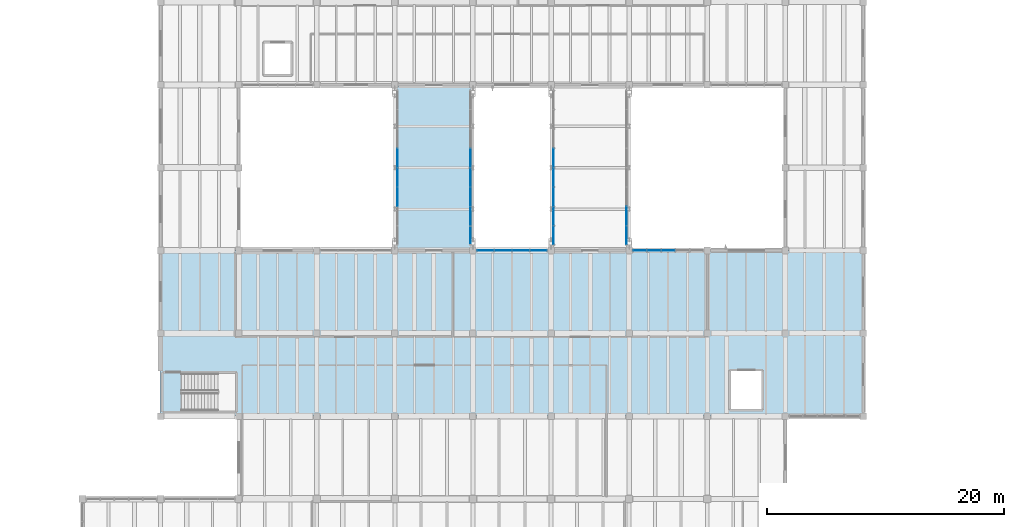
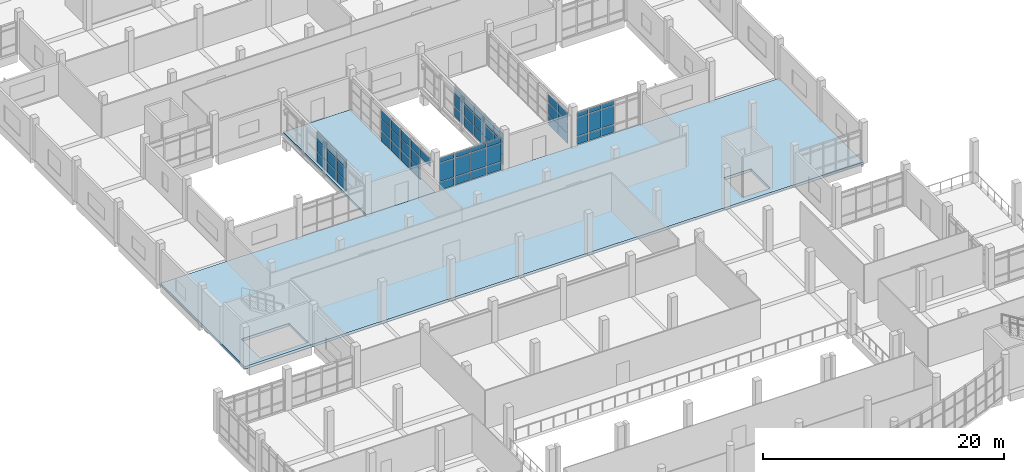
# One storey, part 41 of 67: 64 plates, 2 slabs, 6 elements without a shape of their own.
"""IFC4 building model written with IfcOpenShell, lengths in metres."""

from ifc_helpers import new_model, si_unit, direction, frame, origin, origin_2d, place, context, subcontext, project, spatial, polyline, rectangle, outline, extrude, material, layer, layer_set, type_object, element, aggregate, save


model = new_model("IFC4")

# Units and contexts
model_context = context("Model", 3, precision=1e-05, world=origin(), true_north=direction((0.0, 1.0)))
body_context = subcontext(model_context, "Body", "Model", "MODEL_VIEW")
ifc_project = project(units=[si_unit("LENGTHUNIT", "METRE"), si_unit("AREAUNIT", "SQUARE_METRE"), si_unit("VOLUMEUNIT", "CUBIC_METRE"), si_unit("PLANEANGLEUNIT", "RADIAN"), si_unit("MASSUNIT", "GRAM", prefix="KILO")], contexts=[model_context])

# Site, building, storey
site_placement = place(None, origin())
site = spatial("IfcSite", under=ifc_project, at=site_placement, CompositionType="ELEMENT")
building_placement = place(site_placement, origin())
building = spatial("IfcBuilding", under=site, at=building_placement, Name="Ciguamira Faculty of Natural Sciences", CompositionType="ELEMENT")
storey_placement = place(building_placement, frame((0.0, 0.0, 8.39990234375)))
storey = spatial("IfcBuildingStorey", under=building, at=storey_placement, Name="L02", CompositionType="ELEMENT", Elevation=8.39990234375)

# Curtain wall, plates
ifc_material_1 = material(Name="Anodized aluminium curtain wall", Category="aluminium")
curtain_wall_type_1 = type_object("IfcCurtainWallType", Name="CurtainWall_CW-05", PredefinedType="USERDEFINED", material=ifc_material_1)
curtain_wall_1_placement = place(storey_placement, origin())
curtain_wall_1 = element("IfcCurtainWall", 1, at=curtain_wall_1_placement, inside=storey, type_object=curtain_wall_type_1, Name="L02 unitised curtain wall 0065", ObjectType="UNITISED CURTAIN WALL", PredefinedType="USERDEFINED")
ifc_material_2 = material(Name="Low-E laminated solar glass", Category="glass")
ifc_layer_1 = layer(ifc_material_2, 0.028076171875, Name="Low-E laminated solar glass")
ifc_layer_set_1 = layer_set([ifc_layer_1], Name="Low-E laminated solar glass")
plate_type_1 = type_object("IfcPlateType", Name="CWPanel_CWP-01", PredefinedType="CURTAIN_PANEL", material=ifc_layer_set_1)
plate_1_placement = place(storey_placement, frame((84.748779296875, 59.0, 0.070068359375), z_axis=(0.0, 0.0, 1.0), x_axis=(1.0, 0.0, 0.0)))
plate_1 = element("IfcPlate", 2, at=plate_1_placement, type_object=plate_type_1, Name="CW-05 panel 1.1", PredefinedType="CURTAIN_PANEL", context=body_context, shape_type="SweptSolid", body=[
    extrude(rectangle(XDim=1.407470703125, YDim=0.028076171875, at=origin_2d()), origin(), (0.0, 0.0, 1.0), 0.794921875),
])
plate_2_placement = place(storey_placement, frame((84.748779296875, 59.0, 0.93505859375), z_axis=(0.0, 0.0, 1.0), x_axis=(1.0, 0.0, 0.0)))
plate_2 = element("IfcPlate", 3, at=plate_2_placement, type_object=plate_type_1, Name="CW-05 panel 1.2", PredefinedType="CURTAIN_PANEL", context=body_context, shape_type="SweptSolid", body=[
    extrude(rectangle(XDim=1.407470703125, YDim=0.028076171875, at=origin_2d()), origin(), (0.0, 0.0, 1.0), 1.844970703125),
])
plate_3_placement = place(storey_placement, frame((84.748779296875, 59.0, 2.85009765625), z_axis=(0.0, 0.0, 1.0), x_axis=(1.0, 0.0, 0.0)))
plate_3 = element("IfcPlate", 4, at=plate_3_placement, type_object=plate_type_1, Name="CW-05 panel 1.3", PredefinedType="CURTAIN_PANEL", context=body_context, shape_type="SweptSolid", body=[
    extrude(rectangle(XDim=1.407470703125, YDim=0.028076171875, at=origin_2d()), origin(), (0.0, 0.0, 1.0), 0.445068359375),
])
plate_4_placement = place(storey_placement, frame((86.24365234375, 59.0, 0.070068359375), z_axis=(0.0, 0.0, 1.0), x_axis=(1.0, 0.0, 0.0)))
plate_4 = element("IfcPlate", 5, at=plate_4_placement, type_object=plate_type_1, Name="CW-05 panel 2.1", PredefinedType="CURTAIN_PANEL", context=body_context, shape_type="SweptSolid", body=[
    extrude(rectangle(XDim=1.4423828125, YDim=0.028076171875, at=origin_2d()), origin(), (0.0, 0.0, 1.0), 0.794921875),
])
plate_5_placement = place(storey_placement, frame((86.24365234375, 59.0, 0.93505859375), z_axis=(0.0, 0.0, 1.0), x_axis=(1.0, 0.0, 0.0)))
plate_5 = element("IfcPlate", 6, at=plate_5_placement, type_object=plate_type_1, Name="CW-05 panel 2.2", PredefinedType="CURTAIN_PANEL", context=body_context, shape_type="SweptSolid", body=[
    extrude(rectangle(XDim=1.4423828125, YDim=0.028076171875, at=origin_2d()), origin(), (0.0, 0.0, 1.0), 1.844970703125),
])
plate_6_placement = place(storey_placement, frame((86.24365234375, 59.0, 2.85009765625), z_axis=(0.0, 0.0, 1.0), x_axis=(1.0, 0.0, 0.0)))
plate_6 = element("IfcPlate", 7, at=plate_6_placement, type_object=plate_type_1, Name="CW-05 panel 2.3", PredefinedType="CURTAIN_PANEL", context=body_context, shape_type="SweptSolid", body=[
    extrude(rectangle(XDim=1.4423828125, YDim=0.028076171875, at=origin_2d()), origin(), (0.0, 0.0, 1.0), 0.445068359375),
])
plate_7_placement = place(storey_placement, frame((87.75634765625, 59.0, 0.070068359375), z_axis=(0.0, 0.0, 1.0), x_axis=(1.0, 0.0, 0.0)))
plate_7 = element("IfcPlate", 8, at=plate_7_placement, type_object=plate_type_1, Name="CW-05 panel 3.1", PredefinedType="CURTAIN_PANEL", context=body_context, shape_type="SweptSolid", body=[
    extrude(rectangle(XDim=1.4423828125, YDim=0.028076171875, at=origin_2d()), origin(), (0.0, 0.0, 1.0), 0.794921875),
])
plate_8_placement = place(storey_placement, frame((87.75634765625, 59.0, 0.93505859375), z_axis=(0.0, 0.0, 1.0), x_axis=(1.0, 0.0, 0.0)))
plate_8 = element("IfcPlate", 9, at=plate_8_placement, type_object=plate_type_1, Name="CW-05 panel 3.2", PredefinedType="CURTAIN_PANEL", context=body_context, shape_type="SweptSolid", body=[
    extrude(rectangle(XDim=1.4423828125, YDim=0.028076171875, at=origin_2d()), origin(), (0.0, 0.0, 1.0), 1.844970703125),
])
plate_9_placement = place(storey_placement, frame((87.75634765625, 59.0, 2.85009765625), z_axis=(0.0, 0.0, 1.0), x_axis=(1.0, 0.0, 0.0)))
plate_9 = element("IfcPlate", 10, at=plate_9_placement, type_object=plate_type_1, Name="CW-05 panel 3.3", PredefinedType="CURTAIN_PANEL", context=body_context, shape_type="SweptSolid", body=[
    extrude(rectangle(XDim=1.4423828125, YDim=0.028076171875, at=origin_2d()), origin(), (0.0, 0.0, 1.0), 0.445068359375),
])
plate_10_placement = place(storey_placement, frame((89.251220703125, 59.0, 0.070068359375), z_axis=(0.0, 0.0, 1.0), x_axis=(1.0, 0.0, 0.0)))
plate_10 = element("IfcPlate", 11, at=plate_10_placement, type_object=plate_type_1, Name="CW-05 panel 4.1", PredefinedType="CURTAIN_PANEL", context=body_context, shape_type="SweptSolid", body=[
    extrude(rectangle(XDim=1.407470703125, YDim=0.028076171875, at=origin_2d()), origin(), (0.0, 0.0, 1.0), 0.794921875),
])
plate_11_placement = place(storey_placement, frame((89.251220703125, 59.0, 0.93505859375), z_axis=(0.0, 0.0, 1.0), x_axis=(1.0, 0.0, 0.0)))
plate_11 = element("IfcPlate", 12, at=plate_11_placement, type_object=plate_type_1, Name="CW-05 panel 4.2", PredefinedType="CURTAIN_PANEL", context=body_context, shape_type="SweptSolid", body=[
    extrude(rectangle(XDim=1.407470703125, YDim=0.028076171875, at=origin_2d()), origin(), (0.0, 0.0, 1.0), 1.844970703125),
])
plate_12_placement = place(storey_placement, frame((89.251220703125, 59.0, 2.85009765625), z_axis=(0.0, 0.0, 1.0), x_axis=(1.0, 0.0, 0.0)))
plate_12 = element("IfcPlate", 13, at=plate_12_placement, type_object=plate_type_1, Name="CW-05 panel 4.3", PredefinedType="CURTAIN_PANEL", context=body_context, shape_type="SweptSolid", body=[
    extrude(rectangle(XDim=1.407470703125, YDim=0.028076171875, at=origin_2d()), origin(), (0.0, 0.0, 1.0), 0.445068359375),
])
aggregate(curtain_wall_1, [plate_1, plate_2, plate_3, plate_4, plate_5, plate_6, plate_7, plate_8, plate_9, plate_10, plate_11, plate_12])

curtain_wall_type_2 = type_object("IfcCurtainWallType", Name="CurtainWall_CW-06", PredefinedType="USERDEFINED", material=ifc_material_1)
curtain_wall_2_placement = place(storey_placement, origin())
curtain_wall_2 = element("IfcCurtainWall", 14, at=curtain_wall_2_placement, inside=storey, type_object=curtain_wall_type_2, Name="Link bridge BR-1 glazed curtain wall W", ObjectType="UNITISED CURTAIN WALL", PredefinedType="USERDEFINED")
plate_13_placement = place(storey_placement, frame((77.320068359375, 63.543701171875, 0.06005859375), z_axis=(0.0, 0.0, 1.0), x_axis=(0.0, 1.0, 0.0)))
plate_13 = element("IfcPlate", 15, at=plate_13_placement, type_object=plate_type_1, Name="CW-06 panel 3.1", PredefinedType="CURTAIN_PANEL", context=body_context, shape_type="SweptSolid", body=[
    extrude(rectangle(XDim=1.577392578125, YDim=0.028076171875, at=origin_2d()), origin(), (0.0, 0.0, 1.0), 1.010009765625),
])
plate_14_placement = place(storey_placement, frame((77.320068359375, 63.543701171875, 1.13037109375), z_axis=(0.0, 0.0, 1.0), x_axis=(0.0, 1.0, 0.0)))
plate_14 = element("IfcPlate", 16, at=plate_14_placement, type_object=plate_type_1, Name="CW-06 panel 3.2", PredefinedType="CURTAIN_PANEL", context=body_context, shape_type="SweptSolid", body=[
    extrude(rectangle(XDim=1.577392578125, YDim=0.028076171875, at=origin_2d()), origin(), (0.0, 0.0, 1.0), 1.139892578125),
])
plate_15_placement = place(storey_placement, frame((77.320068359375, 63.543701171875, 2.330078125), z_axis=(0.0, 0.0, 1.0), x_axis=(0.0, 1.0, 0.0)))
plate_15 = element("IfcPlate", 17, at=plate_15_placement, type_object=plate_type_1, Name="CW-06 panel 3.3", PredefinedType="CURTAIN_PANEL", context=body_context, shape_type="SweptSolid", body=[
    extrude(rectangle(XDim=1.577392578125, YDim=0.028076171875, at=origin_2d()), origin(), (0.0, 0.0, 1.0), 0.860107421875),
])
plate_16_placement = place(storey_placement, frame((77.320068359375, 65.18115234375, 0.06005859375), z_axis=(0.0, 0.0, 1.0), x_axis=(0.0, 1.0, 0.0)))
plate_16 = element("IfcPlate", 18, at=plate_16_placement, type_object=plate_type_1, Name="CW-06 panel 4.1", PredefinedType="CURTAIN_PANEL", context=body_context, shape_type="SweptSolid", body=[
    extrude(rectangle(XDim=1.577392578125, YDim=0.028076171875, at=origin_2d()), origin(), (0.0, 0.0, 1.0), 1.010009765625),
])
plate_17_placement = place(storey_placement, frame((77.320068359375, 65.18115234375, 1.13037109375), z_axis=(0.0, 0.0, 1.0), x_axis=(0.0, 1.0, 0.0)))
plate_17 = element("IfcPlate", 19, at=plate_17_placement, type_object=plate_type_1, Name="CW-06 panel 4.2", PredefinedType="CURTAIN_PANEL", context=body_context, shape_type="SweptSolid", body=[
    extrude(rectangle(XDim=1.577392578125, YDim=0.028076171875, at=origin_2d()), origin(), (0.0, 0.0, 1.0), 1.139892578125),
])
plate_18_placement = place(storey_placement, frame((77.320068359375, 65.18115234375, 2.330078125), z_axis=(0.0, 0.0, 1.0), x_axis=(0.0, 1.0, 0.0)))
plate_18 = element("IfcPlate", 20, at=plate_18_placement, type_object=plate_type_1, Name="CW-06 panel 4.3", PredefinedType="CURTAIN_PANEL", context=body_context, shape_type="SweptSolid", body=[
    extrude(rectangle(XDim=1.577392578125, YDim=0.028076171875, at=origin_2d()), origin(), (0.0, 0.0, 1.0), 0.860107421875),
])
plate_19_placement = place(storey_placement, frame((77.320068359375, 66.81884765625, 0.06005859375), z_axis=(0.0, 0.0, 1.0), x_axis=(0.0, 1.0, 0.0)))
plate_19 = element("IfcPlate", 21, at=plate_19_placement, type_object=plate_type_1, Name="CW-06 panel 5.1", PredefinedType="CURTAIN_PANEL", context=body_context, shape_type="SweptSolid", body=[
    extrude(rectangle(XDim=1.577392578125, YDim=0.028076171875, at=origin_2d()), origin(), (0.0, 0.0, 1.0), 1.010009765625),
])
plate_20_placement = place(storey_placement, frame((77.320068359375, 66.81884765625, 1.13037109375), z_axis=(0.0, 0.0, 1.0), x_axis=(0.0, 1.0, 0.0)))
plate_20 = element("IfcPlate", 22, at=plate_20_placement, type_object=plate_type_1, Name="CW-06 panel 5.2", PredefinedType="CURTAIN_PANEL", context=body_context, shape_type="SweptSolid", body=[
    extrude(rectangle(XDim=1.577392578125, YDim=0.028076171875, at=origin_2d()), origin(), (0.0, 0.0, 1.0), 1.139892578125),
])
plate_21_placement = place(storey_placement, frame((77.320068359375, 66.81884765625, 2.330078125), z_axis=(0.0, 0.0, 1.0), x_axis=(0.0, 1.0, 0.0)))
plate_21 = element("IfcPlate", 23, at=plate_21_placement, type_object=plate_type_1, Name="CW-06 panel 5.3", PredefinedType="CURTAIN_PANEL", context=body_context, shape_type="SweptSolid", body=[
    extrude(rectangle(XDim=1.577392578125, YDim=0.028076171875, at=origin_2d()), origin(), (0.0, 0.0, 1.0), 0.860107421875),
])
aggregate(curtain_wall_2, [plate_13, plate_14, plate_15, plate_16, plate_17, plate_18, plate_19, plate_20, plate_21])

curtain_wall_type_3 = type_object("IfcCurtainWallType", Name="CurtainWall_CW-07", PredefinedType="USERDEFINED", material=ifc_material_1)
curtain_wall_3_placement = place(storey_placement, origin())
curtain_wall_3 = element("IfcCurtainWall", 24, at=curtain_wall_3_placement, inside=storey, type_object=curtain_wall_type_3, Name="Link bridge BR-1 glazed curtain wall E", ObjectType="UNITISED CURTAIN WALL", PredefinedType="USERDEFINED")
plate_22_placement = place(storey_placement, frame((83.47998046875, 60.28369140625, 2.330078125), z_axis=(0.0, 0.0, 1.0), x_axis=(0.0, 1.0, 0.0)))
plate_22 = element("IfcPlate", 25, at=plate_22_placement, type_object=plate_type_1, Name="CW-07 panel 1.3", PredefinedType="CURTAIN_PANEL", context=body_context, shape_type="SweptSolid", body=[
    extrude(rectangle(XDim=1.547607421875, YDim=0.028076171875, at=origin_2d()), origin(), (0.0, 0.0, 1.0), 0.860107421875),
])
plate_23_placement = place(storey_placement, frame((83.47998046875, 61.90625, 0.06005859375), z_axis=(0.0, 0.0, 1.0), x_axis=(0.0, 1.0, 0.0)))
plate_23 = element("IfcPlate", 26, at=plate_23_placement, type_object=plate_type_1, Name="CW-07 panel 2.1", PredefinedType="CURTAIN_PANEL", context=body_context, shape_type="SweptSolid", body=[
    extrude(rectangle(XDim=1.577392578125, YDim=0.028076171875, at=origin_2d()), origin(), (0.0, 0.0, 1.0), 1.010009765625),
])
plate_24_placement = place(storey_placement, frame((83.47998046875, 61.90625, 1.13037109375), z_axis=(0.0, 0.0, 1.0), x_axis=(0.0, 1.0, 0.0)))
plate_24 = element("IfcPlate", 27, at=plate_24_placement, type_object=plate_type_1, Name="CW-07 panel 2.2", PredefinedType="CURTAIN_PANEL", context=body_context, shape_type="SweptSolid", body=[
    extrude(rectangle(XDim=1.577392578125, YDim=0.028076171875, at=origin_2d()), origin(), (0.0, 0.0, 1.0), 1.139892578125),
])
plate_25_placement = place(storey_placement, frame((83.47998046875, 61.90625, 2.330078125), z_axis=(0.0, 0.0, 1.0), x_axis=(0.0, 1.0, 0.0)))
plate_25 = element("IfcPlate", 28, at=plate_25_placement, type_object=plate_type_1, Name="CW-07 panel 2.3", PredefinedType="CURTAIN_PANEL", context=body_context, shape_type="SweptSolid", body=[
    extrude(rectangle(XDim=1.577392578125, YDim=0.028076171875, at=origin_2d()), origin(), (0.0, 0.0, 1.0), 0.860107421875),
])
plate_26_placement = place(storey_placement, frame((83.47998046875, 63.543701171875, 0.06005859375), z_axis=(0.0, 0.0, 1.0), x_axis=(0.0, 1.0, 0.0)))
plate_26 = element("IfcPlate", 29, at=plate_26_placement, type_object=plate_type_1, Name="CW-07 panel 3.1", PredefinedType="CURTAIN_PANEL", context=body_context, shape_type="SweptSolid", body=[
    extrude(rectangle(XDim=1.577392578125, YDim=0.028076171875, at=origin_2d()), origin(), (0.0, 0.0, 1.0), 1.010009765625),
])
plate_27_placement = place(storey_placement, frame((83.47998046875, 63.543701171875, 1.13037109375), z_axis=(0.0, 0.0, 1.0), x_axis=(0.0, 1.0, 0.0)))
plate_27 = element("IfcPlate", 30, at=plate_27_placement, type_object=plate_type_1, Name="CW-07 panel 3.2", PredefinedType="CURTAIN_PANEL", context=body_context, shape_type="SweptSolid", body=[
    extrude(rectangle(XDim=1.577392578125, YDim=0.028076171875, at=origin_2d()), origin(), (0.0, 0.0, 1.0), 1.139892578125),
])
plate_28_placement = place(storey_placement, frame((83.47998046875, 63.543701171875, 2.330078125), z_axis=(0.0, 0.0, 1.0), x_axis=(0.0, 1.0, 0.0)))
plate_28 = element("IfcPlate", 31, at=plate_28_placement, type_object=plate_type_1, Name="CW-07 panel 3.3", PredefinedType="CURTAIN_PANEL", context=body_context, shape_type="SweptSolid", body=[
    extrude(rectangle(XDim=1.577392578125, YDim=0.028076171875, at=origin_2d()), origin(), (0.0, 0.0, 1.0), 0.860107421875),
])
plate_29_placement = place(storey_placement, frame((83.47998046875, 65.18115234375, 0.06005859375), z_axis=(0.0, 0.0, 1.0), x_axis=(0.0, 1.0, 0.0)))
plate_29 = element("IfcPlate", 32, at=plate_29_placement, type_object=plate_type_1, Name="CW-07 panel 4.1", PredefinedType="CURTAIN_PANEL", context=body_context, shape_type="SweptSolid", body=[
    extrude(rectangle(XDim=1.577392578125, YDim=0.028076171875, at=origin_2d()), origin(), (0.0, 0.0, 1.0), 1.010009765625),
])
plate_30_placement = place(storey_placement, frame((83.47998046875, 65.18115234375, 1.13037109375), z_axis=(0.0, 0.0, 1.0), x_axis=(0.0, 1.0, 0.0)))
plate_30 = element("IfcPlate", 33, at=plate_30_placement, type_object=plate_type_1, Name="CW-07 panel 4.2", PredefinedType="CURTAIN_PANEL", context=body_context, shape_type="SweptSolid", body=[
    extrude(rectangle(XDim=1.577392578125, YDim=0.028076171875, at=origin_2d()), origin(), (0.0, 0.0, 1.0), 1.139892578125),
])
plate_31_placement = place(storey_placement, frame((83.47998046875, 65.18115234375, 2.330078125), z_axis=(0.0, 0.0, 1.0), x_axis=(0.0, 1.0, 0.0)))
plate_31 = element("IfcPlate", 34, at=plate_31_placement, type_object=plate_type_1, Name="CW-07 panel 4.3", PredefinedType="CURTAIN_PANEL", context=body_context, shape_type="SweptSolid", body=[
    extrude(rectangle(XDim=1.577392578125, YDim=0.028076171875, at=origin_2d()), origin(), (0.0, 0.0, 1.0), 0.860107421875),
])
plate_32_placement = place(storey_placement, frame((83.47998046875, 66.81884765625, 0.06005859375), z_axis=(0.0, 0.0, 1.0), x_axis=(0.0, 1.0, 0.0)))
plate_32 = element("IfcPlate", 35, at=plate_32_placement, type_object=plate_type_1, Name="CW-07 panel 5.1", PredefinedType="CURTAIN_PANEL", context=body_context, shape_type="SweptSolid", body=[
    extrude(rectangle(XDim=1.577392578125, YDim=0.028076171875, at=origin_2d()), origin(), (0.0, 0.0, 1.0), 1.010009765625),
])
plate_33_placement = place(storey_placement, frame((83.47998046875, 66.81884765625, 1.13037109375), z_axis=(0.0, 0.0, 1.0), x_axis=(0.0, 1.0, 0.0)))
plate_33 = element("IfcPlate", 36, at=plate_33_placement, type_object=plate_type_1, Name="CW-07 panel 5.2", PredefinedType="CURTAIN_PANEL", context=body_context, shape_type="SweptSolid", body=[
    extrude(rectangle(XDim=1.577392578125, YDim=0.028076171875, at=origin_2d()), origin(), (0.0, 0.0, 1.0), 1.139892578125),
])
plate_34_placement = place(storey_placement, frame((83.47998046875, 66.81884765625, 2.330078125), z_axis=(0.0, 0.0, 1.0), x_axis=(0.0, 1.0, 0.0)))
plate_34 = element("IfcPlate", 37, at=plate_34_placement, type_object=plate_type_1, Name="CW-07 panel 5.3", PredefinedType="CURTAIN_PANEL", context=body_context, shape_type="SweptSolid", body=[
    extrude(rectangle(XDim=1.577392578125, YDim=0.028076171875, at=origin_2d()), origin(), (0.0, 0.0, 1.0), 0.860107421875),
])
aggregate(curtain_wall_3, [plate_22, plate_23, plate_24, plate_25, plate_26, plate_27, plate_28, plate_29, plate_30, plate_31, plate_32, plate_33, plate_34])

curtain_wall_type_4 = type_object("IfcCurtainWallType", Name="CurtainWall_CW-08", PredefinedType="USERDEFINED", material=ifc_material_1)
curtain_wall_4_placement = place(storey_placement, origin())
curtain_wall_4 = element("IfcCurtainWall", 38, at=curtain_wall_4_placement, inside=storey, type_object=curtain_wall_type_4, Name="Link bridge BR-2 glazed curtain wall W", ObjectType="UNITISED CURTAIN WALL", PredefinedType="USERDEFINED")
plate_35_placement = place(storey_placement, frame((90.52001953125, 60.28369140625, 0.06005859375), z_axis=(0.0, 0.0, 1.0), x_axis=(0.0, 1.0, 0.0)))
plate_35 = element("IfcPlate", 39, at=plate_35_placement, type_object=plate_type_1, Name="CW-08 panel 1.1", PredefinedType="CURTAIN_PANEL", context=body_context, shape_type="SweptSolid", body=[
    extrude(rectangle(XDim=1.547607421875, YDim=0.028076171875, at=origin_2d()), origin(), (0.0, 0.0, 1.0), 1.010009765625),
])
plate_36_placement = place(storey_placement, frame((90.52001953125, 60.28369140625, 1.13037109375), z_axis=(0.0, 0.0, 1.0), x_axis=(0.0, 1.0, 0.0)))
plate_36 = element("IfcPlate", 40, at=plate_36_placement, type_object=plate_type_1, Name="CW-08 panel 1.2", PredefinedType="CURTAIN_PANEL", context=body_context, shape_type="SweptSolid", body=[
    extrude(rectangle(XDim=1.547607421875, YDim=0.028076171875, at=origin_2d()), origin(), (0.0, 0.0, 1.0), 1.139892578125),
])
plate_37_placement = place(storey_placement, frame((90.52001953125, 60.28369140625, 2.330078125), z_axis=(0.0, 0.0, 1.0), x_axis=(0.0, 1.0, 0.0)))
plate_37 = element("IfcPlate", 41, at=plate_37_placement, type_object=plate_type_1, Name="CW-08 panel 1.3", PredefinedType="CURTAIN_PANEL", context=body_context, shape_type="SweptSolid", body=[
    extrude(rectangle(XDim=1.547607421875, YDim=0.028076171875, at=origin_2d()), origin(), (0.0, 0.0, 1.0), 0.860107421875),
])
plate_38_placement = place(storey_placement, frame((90.52001953125, 61.90625, 0.06005859375), z_axis=(0.0, 0.0, 1.0), x_axis=(0.0, 1.0, 0.0)))
plate_38 = element("IfcPlate", 42, at=plate_38_placement, type_object=plate_type_1, Name="CW-08 panel 2.1", PredefinedType="CURTAIN_PANEL", context=body_context, shape_type="SweptSolid", body=[
    extrude(rectangle(XDim=1.577392578125, YDim=0.028076171875, at=origin_2d()), origin(), (0.0, 0.0, 1.0), 1.010009765625),
])
plate_39_placement = place(storey_placement, frame((90.52001953125, 61.90625, 1.13037109375), z_axis=(0.0, 0.0, 1.0), x_axis=(0.0, 1.0, 0.0)))
plate_39 = element("IfcPlate", 43, at=plate_39_placement, type_object=plate_type_1, Name="CW-08 panel 2.2", PredefinedType="CURTAIN_PANEL", context=body_context, shape_type="SweptSolid", body=[
    extrude(rectangle(XDim=1.577392578125, YDim=0.028076171875, at=origin_2d()), origin(), (0.0, 0.0, 1.0), 1.139892578125),
])
plate_40_placement = place(storey_placement, frame((90.52001953125, 61.90625, 2.330078125), z_axis=(0.0, 0.0, 1.0), x_axis=(0.0, 1.0, 0.0)))
plate_40 = element("IfcPlate", 44, at=plate_40_placement, type_object=plate_type_1, Name="CW-08 panel 2.3", PredefinedType="CURTAIN_PANEL", context=body_context, shape_type="SweptSolid", body=[
    extrude(rectangle(XDim=1.577392578125, YDim=0.028076171875, at=origin_2d()), origin(), (0.0, 0.0, 1.0), 0.860107421875),
])
plate_41_placement = place(storey_placement, frame((90.52001953125, 63.543701171875, 0.06005859375), z_axis=(0.0, 0.0, 1.0), x_axis=(0.0, 1.0, 0.0)))
plate_41 = element("IfcPlate", 45, at=plate_41_placement, type_object=plate_type_1, Name="CW-08 panel 3.1", PredefinedType="CURTAIN_PANEL", context=body_context, shape_type="SweptSolid", body=[
    extrude(rectangle(XDim=1.577392578125, YDim=0.028076171875, at=origin_2d()), origin(), (0.0, 0.0, 1.0), 1.010009765625),
])
plate_42_placement = place(storey_placement, frame((90.52001953125, 63.543701171875, 1.13037109375), z_axis=(0.0, 0.0, 1.0), x_axis=(0.0, 1.0, 0.0)))
plate_42 = element("IfcPlate", 46, at=plate_42_placement, type_object=plate_type_1, Name="CW-08 panel 3.2", PredefinedType="CURTAIN_PANEL", context=body_context, shape_type="SweptSolid", body=[
    extrude(rectangle(XDim=1.577392578125, YDim=0.028076171875, at=origin_2d()), origin(), (0.0, 0.0, 1.0), 1.139892578125),
])
plate_43_placement = place(storey_placement, frame((90.52001953125, 63.543701171875, 2.330078125), z_axis=(0.0, 0.0, 1.0), x_axis=(0.0, 1.0, 0.0)))
plate_43 = element("IfcPlate", 47, at=plate_43_placement, type_object=plate_type_1, Name="CW-08 panel 3.3", PredefinedType="CURTAIN_PANEL", context=body_context, shape_type="SweptSolid", body=[
    extrude(rectangle(XDim=1.577392578125, YDim=0.028076171875, at=origin_2d()), origin(), (0.0, 0.0, 1.0), 0.860107421875),
])
plate_44_placement = place(storey_placement, frame((90.52001953125, 65.18115234375, 0.06005859375), z_axis=(0.0, 0.0, 1.0), x_axis=(0.0, 1.0, 0.0)))
plate_44 = element("IfcPlate", 48, at=plate_44_placement, type_object=plate_type_1, Name="CW-08 panel 4.1", PredefinedType="CURTAIN_PANEL", context=body_context, shape_type="SweptSolid", body=[
    extrude(rectangle(XDim=1.577392578125, YDim=0.028076171875, at=origin_2d()), origin(), (0.0, 0.0, 1.0), 1.010009765625),
])
plate_45_placement = place(storey_placement, frame((90.52001953125, 65.18115234375, 1.13037109375), z_axis=(0.0, 0.0, 1.0), x_axis=(0.0, 1.0, 0.0)))
plate_45 = element("IfcPlate", 49, at=plate_45_placement, type_object=plate_type_1, Name="CW-08 panel 4.2", PredefinedType="CURTAIN_PANEL", context=body_context, shape_type="SweptSolid", body=[
    extrude(rectangle(XDim=1.577392578125, YDim=0.028076171875, at=origin_2d()), origin(), (0.0, 0.0, 1.0), 1.139892578125),
])
plate_46_placement = place(storey_placement, frame((90.52001953125, 65.18115234375, 2.330078125), z_axis=(0.0, 0.0, 1.0), x_axis=(0.0, 1.0, 0.0)))
plate_46 = element("IfcPlate", 50, at=plate_46_placement, type_object=plate_type_1, Name="CW-08 panel 4.3", PredefinedType="CURTAIN_PANEL", context=body_context, shape_type="SweptSolid", body=[
    extrude(rectangle(XDim=1.577392578125, YDim=0.028076171875, at=origin_2d()), origin(), (0.0, 0.0, 1.0), 0.860107421875),
])
plate_47_placement = place(storey_placement, frame((90.52001953125, 66.81884765625, 0.06005859375), z_axis=(0.0, 0.0, 1.0), x_axis=(0.0, 1.0, 0.0)))
plate_47 = element("IfcPlate", 51, at=plate_47_placement, type_object=plate_type_1, Name="CW-08 panel 5.1", PredefinedType="CURTAIN_PANEL", context=body_context, shape_type="SweptSolid", body=[
    extrude(rectangle(XDim=1.577392578125, YDim=0.028076171875, at=origin_2d()), origin(), (0.0, 0.0, 1.0), 1.010009765625),
])
plate_48_placement = place(storey_placement, frame((90.52001953125, 66.81884765625, 1.13037109375), z_axis=(0.0, 0.0, 1.0), x_axis=(0.0, 1.0, 0.0)))
plate_48 = element("IfcPlate", 52, at=plate_48_placement, type_object=plate_type_1, Name="CW-08 panel 5.2", PredefinedType="CURTAIN_PANEL", context=body_context, shape_type="SweptSolid", body=[
    extrude(rectangle(XDim=1.577392578125, YDim=0.028076171875, at=origin_2d()), origin(), (0.0, 0.0, 1.0), 1.139892578125),
])
plate_49_placement = place(storey_placement, frame((90.52001953125, 66.81884765625, 2.330078125), z_axis=(0.0, 0.0, 1.0), x_axis=(0.0, 1.0, 0.0)))
plate_49 = element("IfcPlate", 53, at=plate_49_placement, type_object=plate_type_1, Name="CW-08 panel 5.3", PredefinedType="CURTAIN_PANEL", context=body_context, shape_type="SweptSolid", body=[
    extrude(rectangle(XDim=1.577392578125, YDim=0.028076171875, at=origin_2d()), origin(), (0.0, 0.0, 1.0), 0.860107421875),
])
aggregate(curtain_wall_4, [plate_35, plate_36, plate_37, plate_38, plate_39, plate_40, plate_41, plate_42, plate_43, plate_44, plate_45, plate_46, plate_47, plate_48, plate_49])

curtain_wall_type_5 = type_object("IfcCurtainWallType", Name="CurtainWall_CW-09", PredefinedType="USERDEFINED", material=ifc_material_1)
curtain_wall_5_placement = place(storey_placement, origin())
curtain_wall_5 = element("IfcCurtainWall", 54, at=curtain_wall_5_placement, inside=storey, type_object=curtain_wall_type_5, Name="Link bridge BR-2 glazed curtain wall E", ObjectType="UNITISED CURTAIN WALL", PredefinedType="USERDEFINED")
plate_50_placement = place(storey_placement, frame((96.679931640625, 60.28369140625, 0.06005859375), z_axis=(0.0, 0.0, 1.0), x_axis=(0.0, 1.0, 0.0)))
plate_50 = element("IfcPlate", 55, at=plate_50_placement, type_object=plate_type_1, Name="CW-09 panel 1.1", PredefinedType="CURTAIN_PANEL", context=body_context, shape_type="SweptSolid", body=[
    extrude(rectangle(XDim=1.547607421875, YDim=0.028076171875, at=origin_2d()), origin(), (0.0, 0.0, 1.0), 1.010009765625),
])
plate_51_placement = place(storey_placement, frame((96.679931640625, 60.28369140625, 1.13037109375), z_axis=(0.0, 0.0, 1.0), x_axis=(0.0, 1.0, 0.0)))
plate_51 = element("IfcPlate", 56, at=plate_51_placement, type_object=plate_type_1, Name="CW-09 panel 1.2", PredefinedType="CURTAIN_PANEL", context=body_context, shape_type="SweptSolid", body=[
    extrude(rectangle(XDim=1.547607421875, YDim=0.028076171875, at=origin_2d()), origin(), (0.0, 0.0, 1.0), 1.139892578125),
])
plate_52_placement = place(storey_placement, frame((96.679931640625, 60.28369140625, 2.330078125), z_axis=(0.0, 0.0, 1.0), x_axis=(0.0, 1.0, 0.0)))
plate_52 = element("IfcPlate", 57, at=plate_52_placement, type_object=plate_type_1, Name="CW-09 panel 1.3", PredefinedType="CURTAIN_PANEL", context=body_context, shape_type="SweptSolid", body=[
    extrude(rectangle(XDim=1.547607421875, YDim=0.028076171875, at=origin_2d()), origin(), (0.0, 0.0, 1.0), 0.860107421875),
])
plate_53_placement = place(storey_placement, frame((96.679931640625, 61.90625, 0.06005859375), z_axis=(0.0, 0.0, 1.0), x_axis=(0.0, 1.0, 0.0)))
plate_53 = element("IfcPlate", 58, at=plate_53_placement, type_object=plate_type_1, Name="CW-09 panel 2.1", PredefinedType="CURTAIN_PANEL", context=body_context, shape_type="SweptSolid", body=[
    extrude(rectangle(XDim=1.577392578125, YDim=0.028076171875, at=origin_2d()), origin(), (0.0, 0.0, 1.0), 1.010009765625),
])
plate_54_placement = place(storey_placement, frame((96.679931640625, 61.90625, 1.13037109375), z_axis=(0.0, 0.0, 1.0), x_axis=(0.0, 1.0, 0.0)))
plate_54 = element("IfcPlate", 59, at=plate_54_placement, type_object=plate_type_1, Name="CW-09 panel 2.2", PredefinedType="CURTAIN_PANEL", context=body_context, shape_type="SweptSolid", body=[
    extrude(rectangle(XDim=1.577392578125, YDim=0.028076171875, at=origin_2d()), origin(), (0.0, 0.0, 1.0), 1.139892578125),
])
plate_55_placement = place(storey_placement, frame((96.679931640625, 61.90625, 2.330078125), z_axis=(0.0, 0.0, 1.0), x_axis=(0.0, 1.0, 0.0)))
plate_55 = element("IfcPlate", 60, at=plate_55_placement, type_object=plate_type_1, Name="CW-09 panel 2.3", PredefinedType="CURTAIN_PANEL", context=body_context, shape_type="SweptSolid", body=[
    extrude(rectangle(XDim=1.577392578125, YDim=0.028076171875, at=origin_2d()), origin(), (0.0, 0.0, 1.0), 0.860107421875),
])
aggregate(curtain_wall_5, [plate_50, plate_51, plate_52, plate_53, plate_54, plate_55])

curtain_wall_6_placement = place(storey_placement, origin())
curtain_wall_6 = element("IfcCurtainWall", 61, at=curtain_wall_6_placement, inside=storey, type_object=curtain_wall_type_2, Name="L02 unitised curtain wall 0066", ObjectType="UNITISED CURTAIN WALL", PredefinedType="USERDEFINED")
ifc_layer_2 = layer(ifc_material_2, 0.035888671875, Name="Low-E laminated solar glass")
ifc_layer_set_2 = layer_set([ifc_layer_2], Name="Low-E laminated solar glass")
plate_type_2 = type_object("IfcPlateType", Name="CWPanel_CWP-02", PredefinedType="CURTAIN_PANEL", material=ifc_layer_set_2)
plate_56_placement = place(storey_placement, frame((97.800048828125, 59.0, 0.080078125), z_axis=(0.0, 0.0, 1.0), x_axis=(1.0, 0.0, 0.0)))
plate_56 = element("IfcPlate", 62, at=plate_56_placement, type_object=plate_type_2, Name="CW-06 panel 1.1", PredefinedType="CURTAIN_PANEL", context=body_context, shape_type="SweptSolid", body=[
    extrude(rectangle(XDim=1.090087890625, YDim=0.035888671875, at=origin_2d()), origin(), (0.0, 0.0, 1.0), 0.780029296875),
])
plate_57_placement = place(storey_placement, frame((97.800048828125, 59.0, 0.940185546875), z_axis=(0.0, 0.0, 1.0), x_axis=(1.0, 0.0, 0.0)))
plate_57 = element("IfcPlate", 63, at=plate_57_placement, type_object=plate_type_2, Name="CW-06 panel 1.2", PredefinedType="CURTAIN_PANEL", context=body_context, shape_type="SweptSolid", body=[
    extrude(rectangle(XDim=1.090087890625, YDim=0.035888671875, at=origin_2d()), origin(), (0.0, 0.0, 1.0), 1.85498046875),
])
plate_58_placement = place(storey_placement, frame((97.800048828125, 59.0, 2.875), z_axis=(0.0, 0.0, 1.0), x_axis=(1.0, 0.0, 0.0)))
plate_58 = element("IfcPlate", 64, at=plate_58_placement, type_object=plate_type_2, Name="CW-06 panel 1.3", PredefinedType="CURTAIN_PANEL", context=body_context, shape_type="SweptSolid", body=[
    extrude(rectangle(XDim=1.090087890625, YDim=0.035888671875, at=origin_2d()), origin(), (0.0, 0.0, 1.0), 0.429931640625),
])
plate_59_placement = place(storey_placement, frame((98.989990234375, 59.0, 0.080078125), z_axis=(0.0, 0.0, 1.0), x_axis=(1.0, 0.0, 0.0)))
plate_59 = element("IfcPlate", 65, at=plate_59_placement, type_object=plate_type_2, Name="CW-06 panel 2.1", PredefinedType="CURTAIN_PANEL", context=body_context, shape_type="SweptSolid", body=[
    extrude(rectangle(XDim=1.1298828125, YDim=0.035888671875, at=origin_2d()), origin(), (0.0, 0.0, 1.0), 0.780029296875),
])
plate_60_placement = place(storey_placement, frame((98.989990234375, 59.0, 0.940185546875), z_axis=(0.0, 0.0, 1.0), x_axis=(1.0, 0.0, 0.0)))
plate_60 = element("IfcPlate", 66, at=plate_60_placement, type_object=plate_type_2, Name="CW-06 panel 2.2", PredefinedType="CURTAIN_PANEL", context=body_context, shape_type="SweptSolid", body=[
    extrude(rectangle(XDim=1.1298828125, YDim=0.035888671875, at=origin_2d()), origin(), (0.0, 0.0, 1.0), 1.85498046875),
])
plate_61_placement = place(storey_placement, frame((98.989990234375, 59.0, 2.875), z_axis=(0.0, 0.0, 1.0), x_axis=(1.0, 0.0, 0.0)))
plate_61 = element("IfcPlate", 67, at=plate_61_placement, type_object=plate_type_2, Name="CW-06 panel 2.3", PredefinedType="CURTAIN_PANEL", context=body_context, shape_type="SweptSolid", body=[
    extrude(rectangle(XDim=1.1298828125, YDim=0.035888671875, at=origin_2d()), origin(), (0.0, 0.0, 1.0), 0.429931640625),
])
plate_62_placement = place(storey_placement, frame((100.199951171875, 59.0, 0.080078125), z_axis=(0.0, 0.0, 1.0), x_axis=(1.0, 0.0, 0.0)))
plate_62 = element("IfcPlate", 68, at=plate_62_placement, type_object=plate_type_2, Name="CW-06 panel 3.1", PredefinedType="CURTAIN_PANEL", context=body_context, shape_type="SweptSolid", body=[
    extrude(rectangle(XDim=1.1298828125, YDim=0.035888671875, at=origin_2d()), origin(), (0.0, 0.0, 1.0), 0.780029296875),
])
plate_63_placement = place(storey_placement, frame((100.199951171875, 59.0, 0.940185546875), z_axis=(0.0, 0.0, 1.0), x_axis=(1.0, 0.0, 0.0)))
plate_63 = element("IfcPlate", 69, at=plate_63_placement, type_object=plate_type_2, Name="CW-06 panel 3.2", PredefinedType="CURTAIN_PANEL", context=body_context, shape_type="SweptSolid", body=[
    extrude(rectangle(XDim=1.1298828125, YDim=0.035888671875, at=origin_2d()), origin(), (0.0, 0.0, 1.0), 1.85498046875),
])
plate_64_placement = place(storey_placement, frame((100.199951171875, 59.0, 2.875), z_axis=(0.0, 0.0, 1.0), x_axis=(1.0, 0.0, 0.0)))
plate_64 = element("IfcPlate", 70, at=plate_64_placement, type_object=plate_type_2, Name="CW-06 panel 3.3", PredefinedType="CURTAIN_PANEL", context=body_context, shape_type="SweptSolid", body=[
    extrude(rectangle(XDim=1.1298828125, YDim=0.035888671875, at=origin_2d()), origin(), (0.0, 0.0, 1.0), 0.429931640625),
])
aggregate(curtain_wall_6, [plate_56, plate_57, plate_58, plate_59, plate_60, plate_61, plate_62, plate_63, plate_64])

# Slabs
ifc_material_3 = material(Name="Concrete C40/50", Category="concrete")
ifc_layer_3 = layer(ifc_material_3, 0.280029296875, Name="Concrete C40/50")
ifc_layer_set_3 = layer_set([ifc_layer_3], Name="Concrete C40/50")
slab_type_1 = type_object("IfcSlabType", Name="Slab_SF-03_280", PredefinedType="FLOOR", material=ifc_layer_set_3)
slab_1_placement = place(storey_placement, frame((0.0, 0.0, -0.27978515625)))
element("IfcSlab", 71, at=slab_1_placement, inside=storey, type_object=slab_type_1, Name="L02 V4S structural slab", PredefinedType="FLOOR", context=body_context, shape_type="SweptSolid", body=[
    extrude(outline(polyline([(57.300048828125, 45.0), (116.699951171875, 45.0), (116.699951171875, 59.0), (57.300048828125, 59.0), (57.300048828125, 45.0)]), holes=[polyline([(59.06005859375, 45.449951171875), (63.64990234375, 45.449951171875), (63.64990234375, 48.610107421875), (59.06005859375, 48.610107421875), (59.06005859375, 45.449951171875)]), polyline([(105.5, 45.60009765625), (108.10009765625, 45.60009765625), (108.10009765625, 48.800048828125), (105.5, 48.800048828125), (105.5, 45.60009765625)])]), origin(), (0.0, 0.0, 1.0), 0.27978515625),
])
ifc_layer_4 = layer(ifc_material_3, 0.219970703125, Name="Concrete C40/50")
ifc_layer_set_4 = layer_set([ifc_layer_4], Name="Concrete C40/50")
slab_type_2 = type_object("IfcSlabType", Name="Slab_SF-06_220", PredefinedType="FLOOR", material=ifc_layer_set_4)
slab_2_placement = place(storey_placement, frame((0.0, 0.0, -0.219970703125)))
element("IfcSlab", 72, at=slab_2_placement, inside=storey, type_object=slab_type_2, Name="Link bridge BR-1 deck", PredefinedType="FLOOR", context=body_context, shape_type="SweptSolid", body=[
    extrude(outline(polyline([(77.10009765625, 59.0), (83.699951171875, 59.0), (83.699951171875, 72.89990234375), (77.10009765625, 72.89990234375), (77.10009765625, 59.0)])), origin(), (0.0, 0.0, 1.0), 0.219970703125),
])

save(model, "model.ifc")
